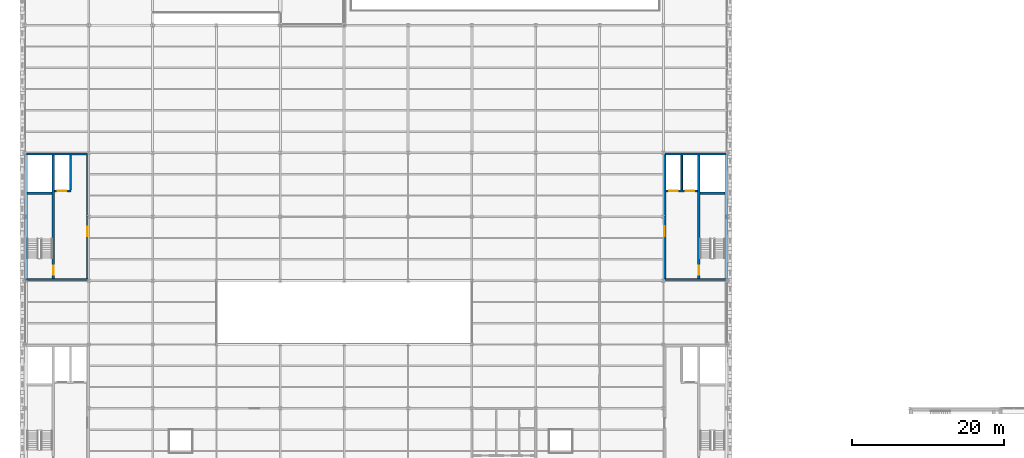
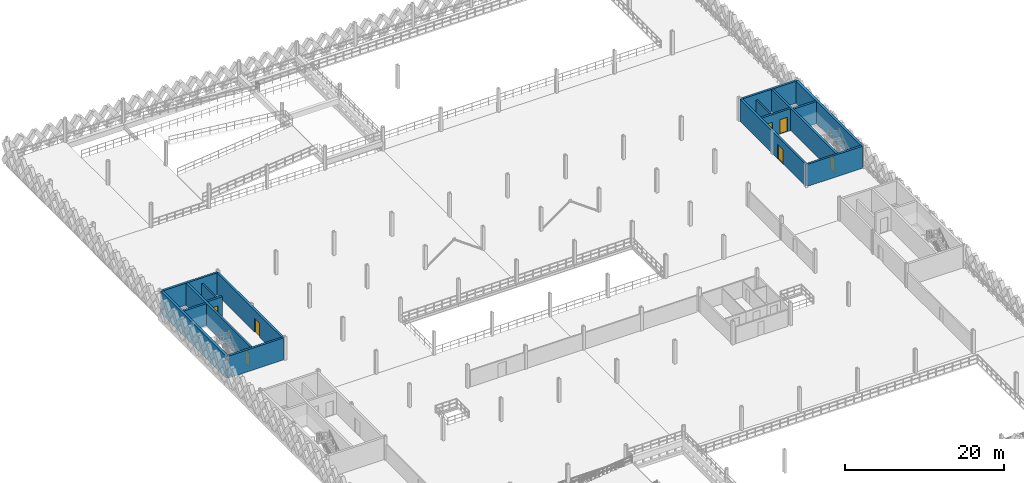
# One storey, part 65 of 79: 16 walls, 7 doors, 7 openings.
"""IFC4 building model written with IfcOpenShell, lengths in metres."""

import ifcopenshell
import ifcopenshell.guid

model = None  # the IFC model being written
_history = None  # IfcOwnerHistory: only IFC2X3 demands one
_inside = {}  # id of a spatial element -> (the spatial element, [elements in it])
_under = {}  # id of a project, library or spatial element -> (it, [spatial elements below it])
_declared = {}  # id of a project -> (the project, [libraries it declares])
_typed = {}  # id of a type object -> (the type object, [elements of that type])
_made_of = {}  # id of a material, layer set ... -> (it, [elements and type objects made of it])


def new_model(schema):
    """Start an empty IFC model of exactly this schema.

    Asked for "IFC4X3", IfcOpenShell would pick the latest addendum, in which some entities
    have other attributes; the version numbers below select the first issue.
    IFC2X3 requires an IfcOwnerHistory on every rooted entity: one is made here for all.
    """
    global model, _history
    if schema == "IFC4X3":
        model = ifcopenshell.file(schema_version=(4, 3, 0, 0))
    else:
        model = ifcopenshell.file(schema=schema)
    _inside.clear()
    _under.clear()
    _declared.clear()
    _typed.clear()
    _made_of.clear()
    _history = None
    if model.schema == "IFC2X3":
        org = make("IfcOrganization", Name="unknown")
        user = make(
            "IfcPersonAndOrganization",
            ThePerson=make("IfcPerson", FamilyName="unknown"),
            TheOrganization=org,
        )
        app = make(
            "IfcApplication",
            ApplicationDeveloper=org,
            Version="unknown",
            ApplicationFullName="unknown",
            ApplicationIdentifier="unknown",
        )
        _history = make(
            "IfcOwnerHistory",
            OwningUser=user,
            OwningApplication=app,
            ChangeAction="ADDED",
            CreationDate=0,
        )
    return model


def make(cls, **values):
    """One entity of the class cls with the attributes given. An attribute that is None is left unset."""
    return model.create_entity(
        cls, **{name: value for name, value in values.items() if value is not None}
    )


def rooted(cls, **values):
    """An entity with a GlobalId (a new one), such as an element, a storey or a relation."""
    return make(cls, GlobalId=ifcopenshell.guid.new(), OwnerHistory=_history, **values)


def si_unit(unit_type, name, prefix=None):
    """IfcSIUnit, for example si_unit("LENGTHUNIT", "METRE", prefix="MILLI")."""
    return make("IfcSIUnit", UnitType=unit_type, Prefix=prefix, Name=name)


def assignment(units):
    """IfcUnitAssignment: the units of a project."""
    return None if units is None else make("IfcUnitAssignment", Units=units)


def point(xyz):
    """IfcCartesianPoint."""
    return None if xyz is None else make("IfcCartesianPoint", Coordinates=xyz)


def direction(xyz):
    """IfcDirection."""
    return None if xyz is None else make("IfcDirection", DirectionRatios=xyz)


def frame(location, z_axis=None, x_axis=None):
    """IfcAxis2Placement3D, a coordinate frame: its origin and axes. An axis left out is left unset."""
    return make(
        "IfcAxis2Placement3D",
        Location=point(location),
        Axis=direction(z_axis),
        RefDirection=direction(x_axis),
    )


def frame_2d(location, x_axis=None):
    """IfcAxis2Placement2D, a coordinate frame in the plane: its origin and x axis."""
    return make(
        "IfcAxis2Placement2D", Location=point(location), RefDirection=direction(x_axis)
    )


def origin():
    """The frame at (0, 0, 0) with its axes left unset."""
    return frame((0.0, 0.0, 0.0))


def place(relative_to, where):
    """IfcLocalPlacement: puts the frame where relative to a parent placement (None: the world)."""
    return make(
        "IfcLocalPlacement", PlacementRelTo=relative_to, RelativePlacement=where
    )


def context(
    kind, dimensions, precision=None, world=None, true_north=None, identifier=None
):
    """IfcGeometricRepresentationContext, for example the 3D "Model" context."""
    return make(
        "IfcGeometricRepresentationContext",
        ContextIdentifier=identifier,
        ContextType=kind,
        CoordinateSpaceDimension=dimensions,
        Precision=precision,
        WorldCoordinateSystem=world,
        TrueNorth=true_north,
    )


def subcontext(parent, identifier, kind, view, scale=None):
    """IfcGeometricRepresentationSubContext, for example "Body" below "Model"."""
    return make(
        "IfcGeometricRepresentationSubContext",
        ContextIdentifier=identifier,
        ContextType=kind,
        ParentContext=parent,
        TargetScale=scale,
        TargetView=view,
    )


def project(units=None, contexts=None):
    """IfcProject with its units and contexts."""
    return rooted(
        "IfcProject",
        Name="project",
        RepresentationContexts=contexts,
        UnitsInContext=assignment(units),
    )


def spatial(cls, under=None, at=None, **own):
    """A site, building, storey or space (cls), placed at a placement, below another one or the project."""
    s = rooted(cls, ObjectPlacement=at, **own)
    if under is not None:
        _under.setdefault(under.id(), (under, []))[1].append(s)
    return s


def profile(cls, at=None, kind="AREA", **sizes):
    """A parametric profile (cls). Its sizes go by their IFC names, for example OverallWidth=200.0."""
    return make(cls, ProfileType=kind, Position=at, **sizes)


def rectangle(**sizes):
    """IfcRectangleProfileDef."""
    return profile("IfcRectangleProfileDef", **sizes)


def extrude(swept, where, along, depth):
    """IfcExtrudedAreaSolid: the profile swept, set in the frame where, extruded along a direction by depth."""
    return make(
        "IfcExtrudedAreaSolid",
        SweptArea=swept,
        Position=where,
        ExtrudedDirection=direction(along),
        Depth=depth,
    )


def shape(context_of_items, identifier, shape_type, items):
    """IfcShapeRepresentation: the items that make up one representation, for example the "Body"."""
    return make(
        "IfcShapeRepresentation",
        ContextOfItems=context_of_items,
        RepresentationIdentifier=identifier,
        RepresentationType=shape_type,
        Items=items,
    )


def material(Name=None, Category=None):
    """IfcMaterial."""
    return make("IfcMaterial", Name=Name, Category=Category)


def layer(
    of_material, thickness, ventilated=None, Name=None, Category=None, Priority=None
):
    """IfcMaterialLayer: one layer of a wall or slab, of a material (None: an air gap)."""
    return make(
        "IfcMaterialLayer",
        Material=of_material,
        LayerThickness=thickness,
        IsVentilated=ventilated,
        Name=Name,
        Category=Category,
        Priority=Priority,
    )


def layer_set(layers, Name=None):
    """IfcMaterialLayerSet."""
    return make("IfcMaterialLayerSet", MaterialLayers=layers, LayerSetName=Name)


def made_of(thing, what):
    """Note that an element or type object is made of a material, layer set ...; save() writes the relation."""
    if what is not None:
        _made_of.setdefault(what.id(), (what, []))[1].append(thing)
    return thing


def type_object(cls, material=None, **own):
    """A type object (cls), such as IfcWallType, which elements share."""
    return made_of(rooted(cls, **own), material)


def element(
    cls,
    number,
    at=None,
    inside=None,
    cuts=None,
    type_object=None,
    material=None,
    context=None,
    identifier="Body",
    shape_type=None,
    held_by="IfcProductDefinitionShape",
    body=None,
    shapes=None,
    **own,
):
    """One element of the class cls, such as IfcWall. Its Tag is "e" and its number.

    at: its placement. inside: the storey or other place that contains it. cuts: it is an
    opening in that element (IfcRelVoidsElement). A single representation is given by context,
    identifier, shape_type and body (its items); several are given by shapes. held_by: the class
    of the entity that holds the representations. save() writes the other relations.
    """
    e = rooted(cls, Tag="e%d" % number, ObjectPlacement=at, **own)
    if body is not None:
        shapes = [shape(context, identifier, shape_type, body)]
    if shapes is not None:
        e.Representation = make(held_by, Representations=shapes)
    if inside is not None:
        _inside.setdefault(inside.id(), (inside, []))[1].append(e)
    if cuts is not None:
        rooted(
            "IfcRelVoidsElement", RelatingBuildingElement=cuts, RelatedOpeningElement=e
        )
    if type_object is not None:
        _typed.setdefault(type_object.id(), (type_object, []))[1].append(e)
    return made_of(e, material)


def fill(opening, filler):
    """IfcRelFillsElement: the door or window that sits in an opening."""
    return rooted(
        "IfcRelFillsElement",
        RelatingOpeningElement=opening,
        RelatedBuildingElement=filler,
    )


def aggregate(whole, parts):
    """IfcRelAggregates: a whole, such as a stair, and the parts it consists of."""
    return rooted("IfcRelAggregates", RelatingObject=whole, RelatedObjects=parts)


def save(model, path):
    """Write the relations noted so far, then the file.

    IfcRelAggregates (storeys below a building ...), IfcRelContainedInSpatialStructure (elements
    in a storey), IfcRelDefinesByType, IfcRelAssociatesMaterial and IfcRelDeclares: one each for
    every whole, place, type object, material and project.
    """
    for whole, parts in _under.values():
        aggregate(whole, parts)
    for where, things in _inside.values():
        rooted(
            "IfcRelContainedInSpatialStructure",
            RelatedElements=things,
            RelatingStructure=where,
        )
    for kind, things in _typed.values():
        rooted("IfcRelDefinesByType", RelatedObjects=things, RelatingType=kind)
    for what, things in _made_of.values():
        rooted("IfcRelAssociatesMaterial", RelatedObjects=things, RelatingMaterial=what)
    for by, libraries in _declared.values():
        rooted("IfcRelDeclares", RelatingContext=by, RelatedDefinitions=libraries)
    model.write(path)


model = new_model("IFC4")

# Units and contexts
model_context = context("Model", 3, precision=1e-05, world=origin(), true_north=direction((0.0, 1.0)))
body_context = subcontext(model_context, "Body", "Model", "MODEL_VIEW")
ifc_project = project(units=[si_unit("LENGTHUNIT", "METRE"), si_unit("AREAUNIT", "SQUARE_METRE"), si_unit("VOLUMEUNIT", "CUBIC_METRE"), si_unit("PLANEANGLEUNIT", "RADIAN"), si_unit("MASSUNIT", "GRAM", prefix="KILO"), si_unit("THERMODYNAMICTEMPERATUREUNIT", "KELVIN"), si_unit("POWERUNIT", "WATT")], contexts=[model_context])

# Site, building, storey
site_placement = place(None, origin())
site = spatial("IfcSite", under=ifc_project, at=site_placement, CompositionType="ELEMENT")
building_placement = place(site_placement, origin())
building = spatial("IfcBuilding", under=site, at=building_placement, Name="Tembeka Court Mobility Hub", CompositionType="ELEMENT")
storey_placement = place(building_placement, frame((0.0, 0.0, 9.0)))
storey = spatial("IfcBuildingStorey", under=building, at=storey_placement, Name="L02", CompositionType="ELEMENT", Elevation=9.0)

# Walls
ifc_material_1 = material(Name="Concrete C40/50", Category="concrete")
ifc_layer_1 = layer(ifc_material_1, 0.25)
ifc_layer_set_1 = layer_set([ifc_layer_1], Name="Concrete C40/50")
wall_type_1 = type_object("IfcWallType", Name="WL-IW01", PredefinedType="PARTITIONING", material=ifc_layer_set_1)
for number, where, z_axis, x_axis, name in (
    (1, (86.39990234375, 75.550048828125, 0.0), (0.0, 0.0, 1.0), (0.0, 1.0, 0.0), "Wall IW01 (IW-L02-0096)"),
    (2, (6.0, 75.550048828125, 0.0), (0.0, 0.0, 1.0), (0.0, 1.0, 0.0), "Wall IW01 (IW-L02-0160)"),
):
    element("IfcWall", number, at=place(storey_placement, frame(where, z_axis=z_axis, x_axis=x_axis)), inside=storey, type_object=wall_type_1, Name=name, PredefinedType="PARTITIONING", context=body_context, shape_type="SweptSolid", body=[
        extrude(rectangle(XDim=4.550048828125, YDim=0.25, at=frame_2d((2.27490234375, 0.0))), origin(), (0.0, 0.0, 1.0), 2.52490234375),
    ])
ifc_layer_2 = layer(ifc_material_1, 0.300048828125)
ifc_layer_set_2 = layer_set([ifc_layer_2], Name="Concrete C40/50")
wall_type_2 = type_object("IfcWallType", Name="WL-SW01", PredefinedType="SHEAR", material=ifc_layer_set_2)
for number, where, z_axis, x_axis, name in (
    (3, (84.195556640625, 63.75, 0.0), (0.0, 0.0, 1.0), (1.0, 0.0, 0.0), "Wall SW01 (IW-L02-0089)"),
    (4, (84.195556640625, 80.25, 0.0), (0.0, 0.0, 1.0), (1.0, 0.0, 0.0), "Wall SW01 (IW-L02-0090)"),
):
    element("IfcWall", number, at=place(storey_placement, frame(where, z_axis=z_axis, x_axis=x_axis)), inside=storey, type_object=wall_type_2, Name=name, PredefinedType="SHEAR", context=body_context, shape_type="SweptSolid", body=[
        extrude(rectangle(XDim=8.009033203125, YDim=0.300048828125, at=frame_2d((4.00439453125, 0.0))), origin(), (0.0, 0.0, 1.0), 3.3798828125),
    ])
wall_1_placement = place(storey_placement, frame((88.800048828125, 75.10009765625, 0.0), z_axis=(0.0, 0.0, 1.0), x_axis=(1.0, 0.0, 0.0)))
element("IfcWall", 5, at=wall_1_placement, inside=storey, type_object=wall_type_2, Name="Wall SW01 (IW-L02-0091)", PredefinedType="SHEAR", context=body_context, shape_type="SweptSolid", body=[
    extrude(rectangle(XDim=3.300048828125, YDim=0.300048828125, at=frame_2d((1.64990234375, 0.0))), origin(), (0.0, 0.0, 1.0), 3.3798828125),
])

# Wall, opening, door
wall_2_placement = place(storey_placement, frame((84.14990234375, 63.78857421875, 0.0), z_axis=(0.0, 0.0, 1.0), x_axis=(0.0, 1.0, 0.0)))
wall_2 = element("IfcWall", 6, at=wall_2_placement, inside=storey, type_object=wall_type_2, Name="Wall SW01 (IW-L02-0093)", PredefinedType="SHEAR", context=body_context, shape_type="SweptSolid", body=[
    extrude(rectangle(XDim=16.4228515625, YDim=0.300048828125, at=frame_2d((8.21142578125, 0.0))), origin(), (0.0, 0.0, 1.0), 3.3798828125),
])
opening_1_placement = place(wall_2_placement, frame((5.66162109375, 0.0, 0.0)))
opening_1 = element("IfcOpeningElement", 7, at=opening_1_placement, cuts=wall_2, Name="Opening FD02", PredefinedType="OPENING", context=body_context, shape_type="SweptSolid", body=[
    extrude(rectangle(XDim=1.300048828125, YDim=2.199951171875, at=frame_2d((0.64990234375, 1.10009765625))), frame((0.0, 0.16015625, 0.0), z_axis=(0.0, -1.0, 0.0), x_axis=(1.0, 0.0, 0.0)), (0.0, 0.0, 1.0), 0.320068359375),
])
ifc_material_2 = material(Name="Galvanised steel fire/shutter doorset", Category="steel")
door_type_1 = type_object("IfcDoorType", Name="DR-FD02", OperationType="NOTDEFINED", PredefinedType="DOOR", material=ifc_material_2)
door_1_placement = place(opening_1_placement, origin())
door_1 = element("IfcDoor", 8, at=door_1_placement, inside=storey, type_object=door_type_1, Name="Door FD02-0047", OperationType="SINGLE_SWING_LEFT", OverallHeight=2.199951171875, OverallWidth=1.300048828125, PredefinedType="DOOR", context=body_context, shape_type="SweptSolid", body=[
    extrude(rectangle(XDim=1.300048828125, YDim=2.199951171875, at=frame_2d((0.64990234375, 1.10009765625))), frame((0.0, 0.02490234375, 0.0), z_axis=(0.0, -1.0, 0.0), x_axis=(1.0, 0.0, 0.0)), (0.0, 0.0, 1.0), 0.050048828125),
])
fill(opening_1, door_1)

wall_3_placement = place(storey_placement, frame((88.64990234375, 63.89990234375, 0.0), z_axis=(0.0, 0.0, 1.0), x_axis=(0.0, 1.0, 0.0)))
wall_3 = element("IfcWall", 9, at=wall_3_placement, inside=storey, type_object=wall_type_2, Name="Wall SW01 (IW-L02-0094)", PredefinedType="SHEAR", context=body_context, shape_type="SweptSolid", body=[
    extrude(rectangle(XDim=16.2001953125, YDim=0.300048828125, at=frame_2d((8.10009765625, 0.0))), origin(), (0.0, 0.0, 1.0), 3.3798828125),
])
opening_2_placement = place(wall_3_placement, frame((0.5, 0.0, 0.0)))
opening_2 = element("IfcOpeningElement", 10, at=opening_2_placement, cuts=wall_3, Name="Opening FD03", PredefinedType="OPENING", context=body_context, shape_type="SweptSolid", body=[
    extrude(rectangle(XDim=1.14990234375, YDim=2.14990234375, at=frame_2d((0.574951171875, 1.074951171875))), frame((0.0, 0.16015625, 0.0), z_axis=(0.0, -1.0, 0.0), x_axis=(1.0, 0.0, 0.0)), (0.0, 0.0, 1.0), 0.320068359375),
])
door_type_2 = type_object("IfcDoorType", Name="DR-FD03", OperationType="NOTDEFINED", PredefinedType="DOOR", material=ifc_material_2)
door_2_placement = place(opening_2_placement, origin())
door_2 = element("IfcDoor", 11, at=door_2_placement, inside=storey, type_object=door_type_2, Name="Door FD03-0048", OperationType="SINGLE_SWING_RIGHT", OverallHeight=2.14990234375, OverallWidth=1.14990234375, PredefinedType="DOOR", context=body_context, shape_type="SweptSolid", body=[
    extrude(rectangle(XDim=1.14990234375, YDim=2.14990234375, at=frame_2d((0.574951171875, 1.074951171875))), frame((0.0, 0.02490234375, 0.0), z_axis=(0.0, -1.0, 0.0), x_axis=(1.0, 0.0, 0.0)), (0.0, 0.0, 1.0), 0.050048828125),
])
fill(opening_2, door_2)

# Wall, openings, doors
wall_4_placement = place(storey_placement, frame((84.300048828125, 75.39990234375, 0.0), z_axis=(0.0, 0.0, 1.0), x_axis=(1.0, 0.0, 0.0)))
wall_4 = element("IfcWall", 12, at=wall_4_placement, inside=storey, type_object=wall_type_2, Name="Wall SW01 (IW-L02-0095)", PredefinedType="SHEAR", context=body_context, shape_type="SweptSolid", body=[
    extrude(rectangle(XDim=4.199951171875, YDim=0.300048828125, at=frame_2d((2.10009765625, 0.0))), origin(), (0.0, 0.0, 1.0), 3.3798828125),
])
opening_3_placement = place(wall_4_placement, frame((0.449951171875, 0.0, 0.0)))
opening_3 = element("IfcOpeningElement", 13, at=opening_3_placement, cuts=wall_4, Name="Opening LD01", PredefinedType="OPENING", context=body_context, shape_type="SweptSolid", body=[
    extrude(rectangle(XDim=1.10009765625, YDim=2.199951171875, at=frame_2d((0.550048828125, 1.10009765625))), frame((0.0, 0.16015625, 0.0), z_axis=(0.0, -1.0, 0.0), x_axis=(1.0, 0.0, 0.0)), (0.0, 0.0, 1.0), 0.320068359375),
])
opening_4_placement = place(wall_4_placement, frame((2.64990234375, 0.0, 0.0)))
opening_4 = element("IfcOpeningElement", 14, at=opening_4_placement, cuts=wall_4, Name="Opening LD01", PredefinedType="OPENING", context=body_context, shape_type="SweptSolid", body=[
    extrude(rectangle(XDim=1.10009765625, YDim=2.199951171875, at=frame_2d((0.550048828125, 1.10009765625))), frame((0.0, 0.16015625, 0.0), z_axis=(0.0, -1.0, 0.0), x_axis=(1.0, 0.0, 0.0)), (0.0, 0.0, 1.0), 0.320068359375),
])
door_type_3 = type_object("IfcDoorType", Name="DR-LD01", OperationType="SLIDING_TO_LEFT", PredefinedType="DOOR", material=ifc_material_2)
door_3_placement = place(opening_3_placement, origin())
door_3 = element("IfcDoor", 15, at=door_3_placement, inside=storey, type_object=door_type_3, Name="Lift LF02 landing door L02", OperationType="SLIDING_TO_LEFT", OverallHeight=2.199951171875, OverallWidth=1.10009765625, PredefinedType="DOOR", context=body_context, shape_type="SweptSolid", body=[
    extrude(rectangle(XDim=1.10009765625, YDim=2.199951171875, at=frame_2d((0.550048828125, 1.10009765625))), frame((0.0, 0.02490234375, 0.0), z_axis=(0.0, -1.0, 0.0), x_axis=(1.0, 0.0, 0.0)), (0.0, 0.0, 1.0), 0.050048828125),
])
fill(opening_3, door_3)
door_4_placement = place(opening_4_placement, origin())
door_4 = element("IfcDoor", 16, at=door_4_placement, inside=storey, type_object=door_type_3, Name="Lift LF04 landing door L02", OperationType="SLIDING_TO_LEFT", OverallHeight=2.199951171875, OverallWidth=1.10009765625, PredefinedType="DOOR", context=body_context, shape_type="SweptSolid", body=[
    extrude(rectangle(XDim=1.10009765625, YDim=2.199951171875, at=frame_2d((0.550048828125, 1.10009765625))), frame((0.0, 0.02490234375, 0.0), z_axis=(0.0, -1.0, 0.0), x_axis=(1.0, 0.0, 0.0)), (0.0, 0.0, 1.0), 0.050048828125),
])
fill(opening_4, door_4)

# Walls
for number, where, z_axis, x_axis, name in (
    (17, (0.1845703125, 63.75, 0.0), (0.0, 0.0, 1.0), (1.0, 0.0, 0.0), "Wall SW01 (IW-L02-0153)"),
    (18, (0.1845703125, 80.25, 0.0), (0.0, 0.0, 1.0), (1.0, 0.0, 0.0), "Wall SW01 (IW-L02-0154)"),
):
    element("IfcWall", number, at=place(storey_placement, frame(where, z_axis=z_axis, x_axis=x_axis)), inside=storey, type_object=wall_type_2, Name=name, PredefinedType="SHEAR", context=body_context, shape_type="SweptSolid", body=[
        extrude(rectangle(XDim=8.031005859375, YDim=0.300048828125, at=frame_2d((4.015625, 0.0))), origin(), (0.0, 0.0, 1.0), 3.3798828125),
    ])
wall_5_placement = place(storey_placement, frame((0.300048828125, 75.10009765625, 0.0), z_axis=(0.0, 0.0, 1.0), x_axis=(1.0, 0.0, 0.0)))
element("IfcWall", 19, at=wall_5_placement, inside=storey, type_object=wall_type_2, Name="Wall SW01 (IW-L02-0155)", PredefinedType="SHEAR", context=body_context, shape_type="SweptSolid", body=[
    extrude(rectangle(XDim=3.300048828125, YDim=0.300048828125, at=frame_2d((1.64990234375, 0.0))), origin(), (0.0, 0.0, 1.0), 3.3798828125),
])

# Wall, opening, door
wall_6_placement = place(storey_placement, frame((8.25, 63.781982421875, 0.0), z_axis=(0.0, 0.0, 1.0), x_axis=(0.0, 1.0, 0.0)))
wall_6 = element("IfcWall", 20, at=wall_6_placement, inside=storey, type_object=wall_type_2, Name="Wall SW01 (IW-L02-0157)", PredefinedType="SHEAR", context=body_context, shape_type="SweptSolid", body=[
    extrude(rectangle(XDim=16.43603515625, YDim=0.300048828125, at=frame_2d((8.218017578125, 0.0))), origin(), (0.0, 0.0, 1.0), 3.3798828125),
])
opening_5_placement = place(wall_6_placement, frame((5.66796875, 0.0, 0.0)))
opening_5 = element("IfcOpeningElement", 21, at=opening_5_placement, cuts=wall_6, Name="Opening FD01", PredefinedType="OPENING", context=body_context, shape_type="SweptSolid", body=[
    extrude(rectangle(XDim=1.25, YDim=2.14990234375, at=frame_2d((0.625, 1.074951171875))), frame((0.0, 0.16015625, 0.0), z_axis=(0.0, -1.0, 0.0), x_axis=(1.0, 0.0, 0.0)), (0.0, 0.0, 1.0), 0.320068359375),
])
door_type_4 = type_object("IfcDoorType", Name="DR-FD01", OperationType="NOTDEFINED", PredefinedType="DOOR", material=ifc_material_2)
door_5_placement = place(opening_5_placement, origin())
door_5 = element("IfcDoor", 22, at=door_5_placement, inside=storey, type_object=door_type_4, Name="Door FD01-0077", OperationType="SINGLE_SWING_LEFT", OverallHeight=2.14990234375, OverallWidth=1.25, PredefinedType="DOOR", context=body_context, shape_type="SweptSolid", body=[
    extrude(rectangle(XDim=1.25, YDim=2.14990234375, at=frame_2d((0.625, 1.074951171875))), frame((0.0, 0.02490234375, 0.0), z_axis=(0.0, -1.0, 0.0), x_axis=(1.0, 0.0, 0.0)), (0.0, 0.0, 1.0), 0.050048828125),
])
fill(opening_5, door_5)

wall_7_placement = place(storey_placement, frame((3.75, 63.89990234375, 0.0), z_axis=(0.0, 0.0, 1.0), x_axis=(0.0, 1.0, 0.0)))
wall_7 = element("IfcWall", 23, at=wall_7_placement, inside=storey, type_object=wall_type_2, Name="Wall SW01 (IW-L02-0158)", PredefinedType="SHEAR", context=body_context, shape_type="SweptSolid", body=[
    extrude(rectangle(XDim=16.2001953125, YDim=0.300048828125, at=frame_2d((8.10009765625, 0.0))), origin(), (0.0, 0.0, 1.0), 3.3798828125),
])
opening_6_placement = place(wall_7_placement, frame((0.5, 0.0, 0.0)))
opening_6 = element("IfcOpeningElement", 24, at=opening_6_placement, cuts=wall_7, Name="Opening FD03", PredefinedType="OPENING", context=body_context, shape_type="SweptSolid", body=[
    extrude(rectangle(XDim=1.14990234375, YDim=2.14990234375, at=frame_2d((0.574951171875, 1.074951171875))), frame((0.0, 0.16015625, 0.0), z_axis=(0.0, -1.0, 0.0), x_axis=(1.0, 0.0, 0.0)), (0.0, 0.0, 1.0), 0.320068359375),
])
door_6_placement = place(opening_6_placement, frame((1.14990234375, 0.0, 0.0), z_axis=(0.0, 0.0, 1.0), x_axis=(-1.0, 0.0, 0.0)))
door_6 = element("IfcDoor", 25, at=door_6_placement, inside=storey, type_object=door_type_2, Name="Door FD03-0078", OperationType="SINGLE_SWING_LEFT", OverallHeight=2.14990234375, OverallWidth=1.14990234375, PredefinedType="DOOR", context=body_context, shape_type="SweptSolid", body=[
    extrude(rectangle(XDim=1.14990234375, YDim=2.14990234375, at=frame_2d((0.574951171875, 1.074951171875))), frame((0.0, 0.02490234375, 0.0), z_axis=(0.0, -1.0, 0.0), x_axis=(1.0, 0.0, 0.0)), (0.0, 0.0, 1.0), 0.050048828125),
])
fill(opening_6, door_6)

wall_8_placement = place(storey_placement, frame((3.89990234375, 75.39990234375, 0.0), z_axis=(0.0, 0.0, 1.0), x_axis=(1.0, 0.0, 0.0)))
wall_8 = element("IfcWall", 26, at=wall_8_placement, inside=storey, type_object=wall_type_2, Name="Wall SW01 (IW-L02-0159)", PredefinedType="SHEAR", context=body_context, shape_type="SweptSolid", body=[
    extrude(rectangle(XDim=2.2001953125, YDim=0.300048828125, at=frame_2d((1.10009765625, 0.0))), origin(), (0.0, 0.0, 1.0), 3.3798828125),
])
opening_7_placement = place(wall_8_placement, frame((0.449951171875, 0.0, 0.0)))
opening_7 = element("IfcOpeningElement", 27, at=opening_7_placement, cuts=wall_8, Name="Opening LD01", PredefinedType="OPENING", context=body_context, shape_type="SweptSolid", body=[
    extrude(rectangle(XDim=1.10009765625, YDim=2.199951171875, at=frame_2d((0.550048828125, 1.10009765625))), frame((0.0, 0.16015625, 0.0), z_axis=(0.0, -1.0, 0.0), x_axis=(1.0, 0.0, 0.0)), (0.0, 0.0, 1.0), 0.320068359375),
])
door_7_placement = place(opening_7_placement, origin())
door_7 = element("IfcDoor", 28, at=door_7_placement, inside=storey, type_object=door_type_3, Name="Lift LF05 landing door L02", OperationType="SLIDING_TO_LEFT", OverallHeight=2.199951171875, OverallWidth=1.10009765625, PredefinedType="DOOR", context=body_context, shape_type="SweptSolid", body=[
    extrude(rectangle(XDim=1.10009765625, YDim=2.199951171875, at=frame_2d((0.550048828125, 1.10009765625))), frame((0.0, 0.02490234375, 0.0), z_axis=(0.0, -1.0, 0.0), x_axis=(1.0, 0.0, 0.0)), (0.0, 0.0, 1.0), 0.050048828125),
])
fill(opening_7, door_7)

# Walls
ifc_layer_3 = layer(ifc_material_1, 0.35009765625)
ifc_layer_set_3 = layer_set([ifc_layer_3], Name="Concrete C40/50")
wall_type_3 = type_object("IfcWallType", Name="WL-SW02", PredefinedType="SHEAR", material=ifc_layer_set_3)
wall_9_placement = place(storey_placement, frame((92.25, 63.78857421875, 0.0), z_axis=(0.0, 0.0, 1.0), x_axis=(0.0, 1.0, 0.0)))
element("IfcWall", 29, at=wall_9_placement, inside=storey, type_object=wall_type_3, Name="Wall SW02 (IW-L02-0092)", PredefinedType="SHEAR", context=body_context, shape_type="SweptSolid", body=[
    extrude(rectangle(XDim=16.4228515625, YDim=0.35009765625, at=frame_2d((8.21142578125, 0.0))), origin(), (0.0, 0.0, 1.0), 3.3798828125),
])
wall_10_placement = place(storey_placement, frame((0.14990234375, 63.781982421875, 0.0), z_axis=(0.0, 0.0, 1.0), x_axis=(0.0, 1.0, 0.0)))
element("IfcWall", 30, at=wall_10_placement, inside=storey, type_object=wall_type_3, Name="Wall SW02 (IW-L02-0156)", PredefinedType="SHEAR", context=body_context, shape_type="SweptSolid", body=[
    extrude(rectangle(XDim=16.43603515625, YDim=0.35009765625, at=frame_2d((8.218017578125, 0.0))), origin(), (0.0, 0.0, 1.0), 3.3798828125),
])

save(model, "model.ifc")
